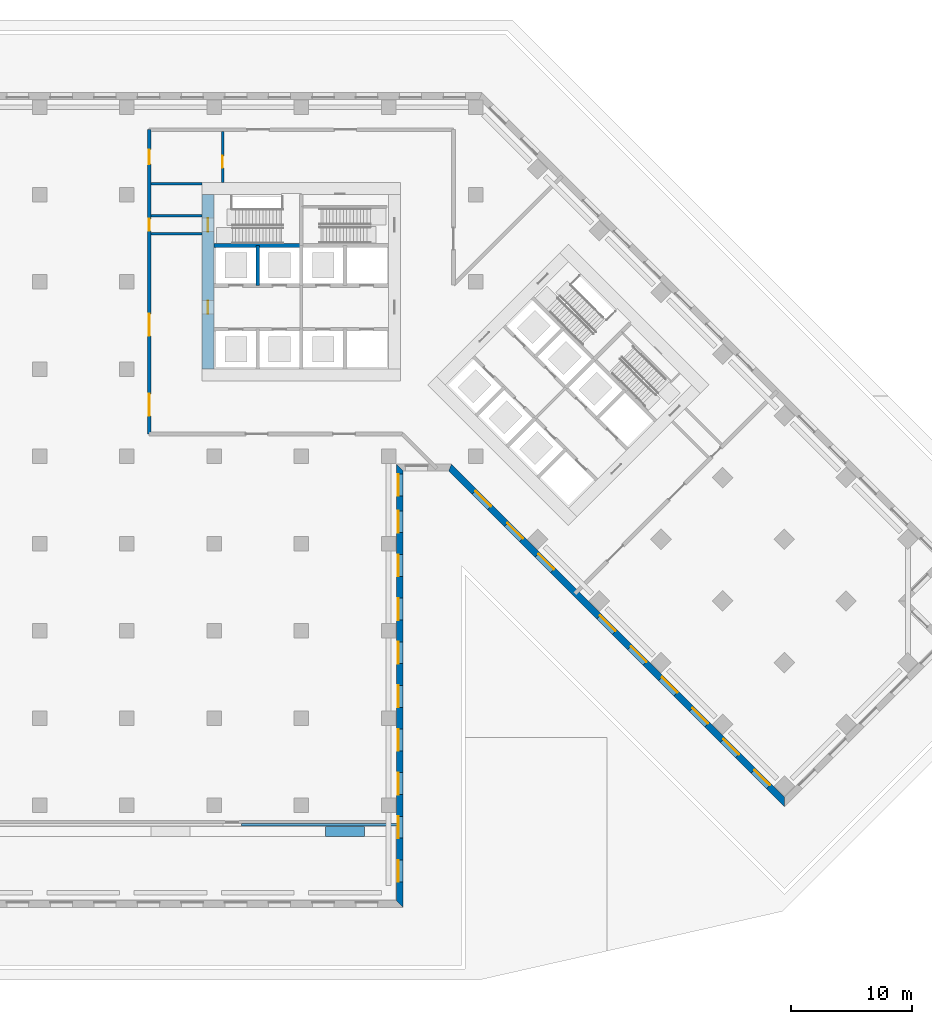
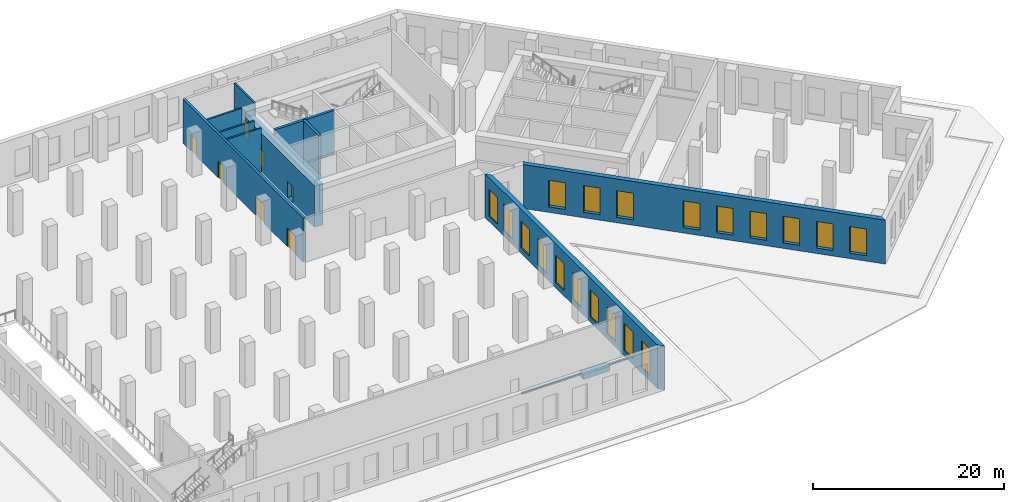
# One storey, part 5 of 15: 19 windows, 12 walls, 7 doors, 26 openings.
"""IFC4 building model written with IfcOpenShell, lengths in metres."""

from ifc_helpers import new_model, si_unit, direction, frame, frame_2d, origin, place, context, subcontext, project, spatial, polyline, rectangle, outline, extrude, material, layer, layer_set, type_object, element, fill, save


model = new_model("IFC4")

# Units and contexts
model_context = context("Model", 3, precision=1e-05, world=origin(), true_north=direction((0.0, 1.0)))
body_context = subcontext(model_context, "Body", "Model", "MODEL_VIEW")
ifc_project = project(units=[si_unit("LENGTHUNIT", "METRE"), si_unit("AREAUNIT", "SQUARE_METRE"), si_unit("VOLUMEUNIT", "CUBIC_METRE"), si_unit("PLANEANGLEUNIT", "RADIAN"), si_unit("MASSUNIT", "GRAM", prefix="KILO")], contexts=[model_context])

# Site, building, storey
site_placement = place(None, origin())
site = spatial("IfcSite", under=ifc_project, at=site_placement, CompositionType="ELEMENT")
building_placement = place(site_placement, origin())
building = spatial("IfcBuilding", under=site, at=building_placement, Name="Windrow Commons", CompositionType="ELEMENT")
storey_placement = place(building_placement, origin())
storey = spatial("IfcBuildingStorey", under=building, at=storey_placement, Name="L00", CompositionType="ELEMENT", Elevation=0.0)

# Wall, openings, windows
ifc_material_1 = material(Name="Brick masonry, red clay brick", Category="masonry")
ifc_layer_1 = layer(ifc_material_1, 0.55)
ifc_layer_set_1 = layer_set([ifc_layer_1], Name="Brick facade wall 550")
wall_type_1 = type_object("IfcWallType", Name="Brick facade wall 550", PredefinedType="SOLIDWALL", material=ifc_layer_set_1)
wall_1_placement = place(storey_placement, frame((72.925, 6.275, 0.0), z_axis=(0.0, 0.0, 1.0), x_axis=(0.0, 1.0, 0.0)))
wall_1 = element("IfcWall", 1, at=wall_1_placement, inside=storey, type_object=wall_type_1, Name="Brick facade wall L00 15", PredefinedType="SOLIDWALL", context=body_context, shape_type="SweptSolid", body=[
    extrude(outline(polyline([(-0.275, -0.275), (35.725, -0.275), (36.275, 0.275), (0.275, 0.275), (-0.275, -0.275)])), origin(), (0.0, 0.0, 1.0), 5.6),
])
opening_1_placement = place(wall_1_placement, frame((1.825, 0.0, 0.7)))
opening_1 = element("IfcOpeningElement", 2, at=opening_1_placement, cuts=wall_1, Name="Opening W3", PredefinedType="OPENING", context=body_context, shape_type="SweptSolid", body=[
    extrude(rectangle(XDim=1.8, YDim=3.4, at=frame_2d((0.9, 1.7))), frame((0.0, 0.285, 0.0), z_axis=(0.0, -1.0, 0.0), x_axis=(1.0, 0.0, 0.0)), (0.0, 0.0, 1.0), 0.57),
])
opening_2_placement = place(wall_1_placement, frame((5.425, 0.0, 0.7)))
opening_2 = element("IfcOpeningElement", 3, at=opening_2_placement, cuts=wall_1, Name="Opening W3", PredefinedType="OPENING", context=body_context, shape_type="SweptSolid", body=[
    extrude(rectangle(XDim=1.8, YDim=3.4, at=frame_2d((0.9, 1.7))), frame((0.0, 0.285, 0.0), z_axis=(0.0, -1.0, 0.0), x_axis=(1.0, 0.0, 0.0)), (0.0, 0.0, 1.0), 0.57),
])
opening_3_placement = place(wall_1_placement, frame((9.025, 0.0, 0.7)))
opening_3 = element("IfcOpeningElement", 4, at=opening_3_placement, cuts=wall_1, Name="Opening W3", PredefinedType="OPENING", context=body_context, shape_type="SweptSolid", body=[
    extrude(rectangle(XDim=1.8, YDim=3.4, at=frame_2d((0.9, 1.7))), frame((0.0, 0.285, 0.0), z_axis=(0.0, -1.0, 0.0), x_axis=(1.0, 0.0, 0.0)), (0.0, 0.0, 1.0), 0.57),
])
opening_4_placement = place(wall_1_placement, frame((12.625, 0.0, 0.7)))
opening_4 = element("IfcOpeningElement", 5, at=opening_4_placement, cuts=wall_1, Name="Opening W3", PredefinedType="OPENING", context=body_context, shape_type="SweptSolid", body=[
    extrude(rectangle(XDim=1.8, YDim=3.4, at=frame_2d((0.9, 1.7))), frame((0.0, 0.285, 0.0), z_axis=(0.0, -1.0, 0.0), x_axis=(1.0, 0.0, 0.0)), (0.0, 0.0, 1.0), 0.57),
])
opening_5_placement = place(wall_1_placement, frame((16.225, 0.0, 0.7)))
opening_5 = element("IfcOpeningElement", 6, at=opening_5_placement, cuts=wall_1, Name="Opening W3", PredefinedType="OPENING", context=body_context, shape_type="SweptSolid", body=[
    extrude(rectangle(XDim=1.8, YDim=3.4, at=frame_2d((0.9, 1.7))), frame((0.0, 0.285, 0.0), z_axis=(0.0, -1.0, 0.0), x_axis=(1.0, 0.0, 0.0)), (0.0, 0.0, 1.0), 0.57),
])
opening_6_placement = place(wall_1_placement, frame((19.825, 0.0, 0.7)))
opening_6 = element("IfcOpeningElement", 7, at=opening_6_placement, cuts=wall_1, Name="Opening W3", PredefinedType="OPENING", context=body_context, shape_type="SweptSolid", body=[
    extrude(rectangle(XDim=1.8, YDim=3.4, at=frame_2d((0.9, 1.7))), frame((0.0, 0.285, 0.0), z_axis=(0.0, -1.0, 0.0), x_axis=(1.0, 0.0, 0.0)), (0.0, 0.0, 1.0), 0.57),
])
opening_7_placement = place(wall_1_placement, frame((23.425, 0.0, 0.7)))
opening_7 = element("IfcOpeningElement", 8, at=opening_7_placement, cuts=wall_1, Name="Opening W3", PredefinedType="OPENING", context=body_context, shape_type="SweptSolid", body=[
    extrude(rectangle(XDim=1.8, YDim=3.4, at=frame_2d((0.9, 1.7))), frame((0.0, 0.285, 0.0), z_axis=(0.0, -1.0, 0.0), x_axis=(1.0, 0.0, 0.0)), (0.0, 0.0, 1.0), 0.57),
])
opening_8_placement = place(wall_1_placement, frame((27.025, 0.0, 0.7)))
opening_8 = element("IfcOpeningElement", 9, at=opening_8_placement, cuts=wall_1, Name="Opening W3", PredefinedType="OPENING", context=body_context, shape_type="SweptSolid", body=[
    extrude(rectangle(XDim=1.8, YDim=3.4, at=frame_2d((0.9, 1.7))), frame((0.0, 0.285, 0.0), z_axis=(0.0, -1.0, 0.0), x_axis=(1.0, 0.0, 0.0)), (0.0, 0.0, 1.0), 0.57),
])
opening_9_placement = place(wall_1_placement, frame((30.625, 0.0, 0.7)))
opening_9 = element("IfcOpeningElement", 10, at=opening_9_placement, cuts=wall_1, Name="Opening W3", PredefinedType="OPENING", context=body_context, shape_type="SweptSolid", body=[
    extrude(rectangle(XDim=1.8, YDim=3.4, at=frame_2d((0.9, 1.7))), frame((0.0, 0.285, 0.0), z_axis=(0.0, -1.0, 0.0), x_axis=(1.0, 0.0, 0.0)), (0.0, 0.0, 1.0), 0.57),
])
opening_10_placement = place(wall_1_placement, frame((33.6625, 0.0, 0.7)))
opening_10 = element("IfcOpeningElement", 11, at=opening_10_placement, cuts=wall_1, Name="Opening W3", PredefinedType="OPENING", context=body_context, shape_type="SweptSolid", body=[
    extrude(rectangle(XDim=1.8, YDim=3.4, at=frame_2d((0.9, 1.7))), frame((0.0, 0.285, 0.0), z_axis=(0.0, -1.0, 0.0), x_axis=(1.0, 0.0, 0.0)), (0.0, 0.0, 1.0), 0.57),
])
ifc_material_2 = material(Name="Clear float glass in anodised aluminium frame", Category="aluminium")
window_type = type_object("IfcWindowType", Name="Window W3 shopfront 1800x3400", PartitioningType="SINGLE_PANEL", PredefinedType="WINDOW", material=ifc_material_2)
window_1_placement = place(opening_1_placement, origin())
window_1 = element("IfcWindow", 12, at=window_1_placement, inside=storey, type_object=window_type, Name="Window L00 15.1", OverallHeight=3.4, OverallWidth=1.8, PartitioningType="SINGLE_PANEL", PredefinedType="WINDOW", context=body_context, shape_type="SweptSolid", body=[
    extrude(rectangle(XDim=1.8, YDim=3.4, at=frame_2d((0.9, 1.7))), frame((0.0, 0.155, 0.0), z_axis=(0.0, -1.0, 0.0), x_axis=(1.0, 0.0, 0.0)), (0.0, 0.0, 1.0), 0.06),
])
fill(opening_1, window_1)
window_2_placement = place(opening_2_placement, origin())
window_2 = element("IfcWindow", 13, at=window_2_placement, inside=storey, type_object=window_type, Name="Window L00 15.2", OverallHeight=3.4, OverallWidth=1.8, PartitioningType="SINGLE_PANEL", PredefinedType="WINDOW", context=body_context, shape_type="SweptSolid", body=[
    extrude(rectangle(XDim=1.8, YDim=3.4, at=frame_2d((0.9, 1.7))), frame((0.0, 0.155, 0.0), z_axis=(0.0, -1.0, 0.0), x_axis=(1.0, 0.0, 0.0)), (0.0, 0.0, 1.0), 0.06),
])
fill(opening_2, window_2)
window_3_placement = place(opening_3_placement, origin())
window_3 = element("IfcWindow", 14, at=window_3_placement, inside=storey, type_object=window_type, Name="Window L00 15.3", OverallHeight=3.4, OverallWidth=1.8, PartitioningType="SINGLE_PANEL", PredefinedType="WINDOW", context=body_context, shape_type="SweptSolid", body=[
    extrude(rectangle(XDim=1.8, YDim=3.4, at=frame_2d((0.9, 1.7))), frame((0.0, 0.155, 0.0), z_axis=(0.0, -1.0, 0.0), x_axis=(1.0, 0.0, 0.0)), (0.0, 0.0, 1.0), 0.06),
])
fill(opening_3, window_3)
window_4_placement = place(opening_4_placement, origin())
window_4 = element("IfcWindow", 15, at=window_4_placement, inside=storey, type_object=window_type, Name="Window L00 15.4", OverallHeight=3.4, OverallWidth=1.8, PartitioningType="SINGLE_PANEL", PredefinedType="WINDOW", context=body_context, shape_type="SweptSolid", body=[
    extrude(rectangle(XDim=1.8, YDim=3.4, at=frame_2d((0.9, 1.7))), frame((0.0, 0.155, 0.0), z_axis=(0.0, -1.0, 0.0), x_axis=(1.0, 0.0, 0.0)), (0.0, 0.0, 1.0), 0.06),
])
fill(opening_4, window_4)
window_5_placement = place(opening_5_placement, origin())
window_5 = element("IfcWindow", 16, at=window_5_placement, inside=storey, type_object=window_type, Name="Window L00 15.5", OverallHeight=3.4, OverallWidth=1.8, PartitioningType="SINGLE_PANEL", PredefinedType="WINDOW", context=body_context, shape_type="SweptSolid", body=[
    extrude(rectangle(XDim=1.8, YDim=3.4, at=frame_2d((0.9, 1.7))), frame((0.0, 0.155, 0.0), z_axis=(0.0, -1.0, 0.0), x_axis=(1.0, 0.0, 0.0)), (0.0, 0.0, 1.0), 0.06),
])
fill(opening_5, window_5)
window_6_placement = place(opening_6_placement, origin())
window_6 = element("IfcWindow", 17, at=window_6_placement, inside=storey, type_object=window_type, Name="Window L00 15.6", OverallHeight=3.4, OverallWidth=1.8, PartitioningType="SINGLE_PANEL", PredefinedType="WINDOW", context=body_context, shape_type="SweptSolid", body=[
    extrude(rectangle(XDim=1.8, YDim=3.4, at=frame_2d((0.9, 1.7))), frame((0.0, 0.155, 0.0), z_axis=(0.0, -1.0, 0.0), x_axis=(1.0, 0.0, 0.0)), (0.0, 0.0, 1.0), 0.06),
])
fill(opening_6, window_6)
window_7_placement = place(opening_7_placement, origin())
window_7 = element("IfcWindow", 18, at=window_7_placement, inside=storey, type_object=window_type, Name="Window L00 15.7", OverallHeight=3.4, OverallWidth=1.8, PartitioningType="SINGLE_PANEL", PredefinedType="WINDOW", context=body_context, shape_type="SweptSolid", body=[
    extrude(rectangle(XDim=1.8, YDim=3.4, at=frame_2d((0.9, 1.7))), frame((0.0, 0.155, 0.0), z_axis=(0.0, -1.0, 0.0), x_axis=(1.0, 0.0, 0.0)), (0.0, 0.0, 1.0), 0.06),
])
fill(opening_7, window_7)
window_8_placement = place(opening_8_placement, origin())
window_8 = element("IfcWindow", 19, at=window_8_placement, inside=storey, type_object=window_type, Name="Window L00 15.8", OverallHeight=3.4, OverallWidth=1.8, PartitioningType="SINGLE_PANEL", PredefinedType="WINDOW", context=body_context, shape_type="SweptSolid", body=[
    extrude(rectangle(XDim=1.8, YDim=3.4, at=frame_2d((0.9, 1.7))), frame((0.0, 0.155, 0.0), z_axis=(0.0, -1.0, 0.0), x_axis=(1.0, 0.0, 0.0)), (0.0, 0.0, 1.0), 0.06),
])
fill(opening_8, window_8)
window_9_placement = place(opening_9_placement, origin())
window_9 = element("IfcWindow", 20, at=window_9_placement, inside=storey, type_object=window_type, Name="Window L00 15.9", OverallHeight=3.4, OverallWidth=1.8, PartitioningType="SINGLE_PANEL", PredefinedType="WINDOW", context=body_context, shape_type="SweptSolid", body=[
    extrude(rectangle(XDim=1.8, YDim=3.4, at=frame_2d((0.9, 1.7))), frame((0.0, 0.155, 0.0), z_axis=(0.0, -1.0, 0.0), x_axis=(1.0, 0.0, 0.0)), (0.0, 0.0, 1.0), 0.06),
])
fill(opening_9, window_9)
window_10_placement = place(opening_10_placement, origin())
window_10 = element("IfcWindow", 21, at=window_10_placement, inside=storey, type_object=window_type, Name="Window L00 15.10", OverallHeight=3.4, OverallWidth=1.8, PartitioningType="SINGLE_PANEL", PredefinedType="WINDOW", context=body_context, shape_type="SweptSolid", body=[
    extrude(rectangle(XDim=1.8, YDim=3.4, at=frame_2d((0.9, 1.7))), frame((0.0, 0.155, 0.0), z_axis=(0.0, -1.0, 0.0), x_axis=(1.0, 0.0, 0.0)), (0.0, 0.0, 1.0), 0.06),
])
fill(opening_10, window_10)

wall_2_placement = place(storey_placement, frame((77.0698, 42.275, 0.0), z_axis=(0.0, 0.0, 1.0), x_axis=(0.7071067812, -0.7071067812, 0.0)))
wall_2 = element("IfcWall", 22, at=wall_2_placement, inside=storey, type_object=wall_type_1, Name="Brick facade wall L00 17", PredefinedType="SOLIDWALL", context=body_context, shape_type="SweptSolid", body=[
    extrude(outline(polyline([(0.1139, -0.275), (39.2875, -0.275), (38.7375, 0.275), (-0.1139, 0.275), (0.1139, -0.275)])), origin(), (0.0, 0.0, 1.0), 5.6),
])
opening_11_placement = place(wall_2_placement, frame((2.8375, 0.0, 0.7)))
opening_11 = element("IfcOpeningElement", 23, at=opening_11_placement, cuts=wall_2, Name="Opening W3", PredefinedType="OPENING", context=body_context, shape_type="SweptSolid", body=[
    extrude(rectangle(XDim=1.8, YDim=3.4, at=frame_2d((0.9, 1.7))), frame((0.0, 0.285, 0.0), z_axis=(0.0, -1.0, 0.0), x_axis=(1.0, 0.0, 0.0)), (0.0, 0.0, 1.0), 0.57),
])
opening_12_placement = place(wall_2_placement, frame((6.5875, 0.0, 0.7)))
opening_12 = element("IfcOpeningElement", 24, at=opening_12_placement, cuts=wall_2, Name="Opening W3", PredefinedType="OPENING", context=body_context, shape_type="SweptSolid", body=[
    extrude(rectangle(XDim=1.8, YDim=3.4, at=frame_2d((0.9, 1.7))), frame((0.0, 0.285, 0.0), z_axis=(0.0, -1.0, 0.0), x_axis=(1.0, 0.0, 0.0)), (0.0, 0.0, 1.0), 0.57),
])
opening_13_placement = place(wall_2_placement, frame((10.1875, 0.0, 0.7)))
opening_13 = element("IfcOpeningElement", 25, at=opening_13_placement, cuts=wall_2, Name="Opening W3", PredefinedType="OPENING", context=body_context, shape_type="SweptSolid", body=[
    extrude(rectangle(XDim=1.8, YDim=3.4, at=frame_2d((0.9, 1.7))), frame((0.0, 0.285, 0.0), z_axis=(0.0, -1.0, 0.0), x_axis=(1.0, 0.0, 0.0)), (0.0, 0.0, 1.0), 0.57),
])
opening_14_placement = place(wall_2_placement, frame((17.3875, 0.0, 0.7)))
opening_14 = element("IfcOpeningElement", 26, at=opening_14_placement, cuts=wall_2, Name="Opening W3", PredefinedType="OPENING", context=body_context, shape_type="SweptSolid", body=[
    extrude(rectangle(XDim=1.8, YDim=3.4, at=frame_2d((0.9, 1.7))), frame((0.0, 0.285, 0.0), z_axis=(0.0, -1.0, 0.0), x_axis=(1.0, 0.0, 0.0)), (0.0, 0.0, 1.0), 0.57),
])
opening_15_placement = place(wall_2_placement, frame((20.9875, 0.0, 0.7)))
opening_15 = element("IfcOpeningElement", 27, at=opening_15_placement, cuts=wall_2, Name="Opening W3", PredefinedType="OPENING", context=body_context, shape_type="SweptSolid", body=[
    extrude(rectangle(XDim=1.8, YDim=3.4, at=frame_2d((0.9, 1.7))), frame((0.0, 0.285, 0.0), z_axis=(0.0, -1.0, 0.0), x_axis=(1.0, 0.0, 0.0)), (0.0, 0.0, 1.0), 0.57),
])
opening_16_placement = place(wall_2_placement, frame((24.5875, 0.0, 0.7)))
opening_16 = element("IfcOpeningElement", 28, at=opening_16_placement, cuts=wall_2, Name="Opening W3", PredefinedType="OPENING", context=body_context, shape_type="SweptSolid", body=[
    extrude(rectangle(XDim=1.8, YDim=3.4, at=frame_2d((0.9, 1.7))), frame((0.0, 0.285, 0.0), z_axis=(0.0, -1.0, 0.0), x_axis=(1.0, 0.0, 0.0)), (0.0, 0.0, 1.0), 0.57),
])
opening_17_placement = place(wall_2_placement, frame((28.1875, 0.0, 0.7)))
opening_17 = element("IfcOpeningElement", 29, at=opening_17_placement, cuts=wall_2, Name="Opening W3", PredefinedType="OPENING", context=body_context, shape_type="SweptSolid", body=[
    extrude(rectangle(XDim=1.8, YDim=3.4, at=frame_2d((0.9, 1.7))), frame((0.0, 0.285, 0.0), z_axis=(0.0, -1.0, 0.0), x_axis=(1.0, 0.0, 0.0)), (0.0, 0.0, 1.0), 0.57),
])
opening_18_placement = place(wall_2_placement, frame((31.7875, 0.0, 0.7)))
opening_18 = element("IfcOpeningElement", 30, at=opening_18_placement, cuts=wall_2, Name="Opening W3", PredefinedType="OPENING", context=body_context, shape_type="SweptSolid", body=[
    extrude(rectangle(XDim=1.8, YDim=3.4, at=frame_2d((0.9, 1.7))), frame((0.0, 0.285, 0.0), z_axis=(0.0, -1.0, 0.0), x_axis=(1.0, 0.0, 0.0)), (0.0, 0.0, 1.0), 0.57),
])
opening_19_placement = place(wall_2_placement, frame((35.3875, 0.0, 0.7)))
opening_19 = element("IfcOpeningElement", 31, at=opening_19_placement, cuts=wall_2, Name="Opening W3", PredefinedType="OPENING", context=body_context, shape_type="SweptSolid", body=[
    extrude(rectangle(XDim=1.8, YDim=3.4, at=frame_2d((0.9, 1.7))), frame((0.0, 0.285, 0.0), z_axis=(0.0, -1.0, 0.0), x_axis=(1.0, 0.0, 0.0)), (0.0, 0.0, 1.0), 0.57),
])
window_11_placement = place(opening_11_placement, origin())
window_11 = element("IfcWindow", 32, at=window_11_placement, inside=storey, type_object=window_type, Name="Window L00 17.1", OverallHeight=3.4, OverallWidth=1.8, PartitioningType="SINGLE_PANEL", PredefinedType="WINDOW", context=body_context, shape_type="SweptSolid", body=[
    extrude(rectangle(XDim=1.8, YDim=3.4, at=frame_2d((0.9, 1.7))), frame((0.0, 0.155, 0.0), z_axis=(0.0, -1.0, 0.0), x_axis=(1.0, 0.0, 0.0)), (0.0, 0.0, 1.0), 0.06),
])
fill(opening_11, window_11)
window_12_placement = place(opening_12_placement, origin())
window_12 = element("IfcWindow", 33, at=window_12_placement, inside=storey, type_object=window_type, Name="Window L00 17.2", OverallHeight=3.4, OverallWidth=1.8, PartitioningType="SINGLE_PANEL", PredefinedType="WINDOW", context=body_context, shape_type="SweptSolid", body=[
    extrude(rectangle(XDim=1.8, YDim=3.4, at=frame_2d((0.9, 1.7))), frame((0.0, 0.155, 0.0), z_axis=(0.0, -1.0, 0.0), x_axis=(1.0, 0.0, 0.0)), (0.0, 0.0, 1.0), 0.06),
])
fill(opening_12, window_12)
window_13_placement = place(opening_13_placement, origin())
window_13 = element("IfcWindow", 34, at=window_13_placement, inside=storey, type_object=window_type, Name="Window L00 17.3", OverallHeight=3.4, OverallWidth=1.8, PartitioningType="SINGLE_PANEL", PredefinedType="WINDOW", context=body_context, shape_type="SweptSolid", body=[
    extrude(rectangle(XDim=1.8, YDim=3.4, at=frame_2d((0.9, 1.7))), frame((0.0, 0.155, 0.0), z_axis=(0.0, -1.0, 0.0), x_axis=(1.0, 0.0, 0.0)), (0.0, 0.0, 1.0), 0.06),
])
fill(opening_13, window_13)
window_14_placement = place(opening_14_placement, origin())
window_14 = element("IfcWindow", 35, at=window_14_placement, inside=storey, type_object=window_type, Name="Window L00 17.4", OverallHeight=3.4, OverallWidth=1.8, PartitioningType="SINGLE_PANEL", PredefinedType="WINDOW", context=body_context, shape_type="SweptSolid", body=[
    extrude(rectangle(XDim=1.8, YDim=3.4, at=frame_2d((0.9, 1.7))), frame((0.0, 0.155, 0.0), z_axis=(0.0, -1.0, 0.0), x_axis=(1.0, 0.0, 0.0)), (0.0, 0.0, 1.0), 0.06),
])
fill(opening_14, window_14)
window_15_placement = place(opening_15_placement, origin())
window_15 = element("IfcWindow", 36, at=window_15_placement, inside=storey, type_object=window_type, Name="Window L00 17.5", OverallHeight=3.4, OverallWidth=1.8, PartitioningType="SINGLE_PANEL", PredefinedType="WINDOW", context=body_context, shape_type="SweptSolid", body=[
    extrude(rectangle(XDim=1.8, YDim=3.4, at=frame_2d((0.9, 1.7))), frame((0.0, 0.155, 0.0), z_axis=(0.0, -1.0, 0.0), x_axis=(1.0, 0.0, 0.0)), (0.0, 0.0, 1.0), 0.06),
])
fill(opening_15, window_15)
window_16_placement = place(opening_16_placement, origin())
window_16 = element("IfcWindow", 37, at=window_16_placement, inside=storey, type_object=window_type, Name="Window L00 17.6", OverallHeight=3.4, OverallWidth=1.8, PartitioningType="SINGLE_PANEL", PredefinedType="WINDOW", context=body_context, shape_type="SweptSolid", body=[
    extrude(rectangle(XDim=1.8, YDim=3.4, at=frame_2d((0.9, 1.7))), frame((0.0, 0.155, 0.0), z_axis=(0.0, -1.0, 0.0), x_axis=(1.0, 0.0, 0.0)), (0.0, 0.0, 1.0), 0.06),
])
fill(opening_16, window_16)
window_17_placement = place(opening_17_placement, origin())
window_17 = element("IfcWindow", 38, at=window_17_placement, inside=storey, type_object=window_type, Name="Window L00 17.7", OverallHeight=3.4, OverallWidth=1.8, PartitioningType="SINGLE_PANEL", PredefinedType="WINDOW", context=body_context, shape_type="SweptSolid", body=[
    extrude(rectangle(XDim=1.8, YDim=3.4, at=frame_2d((0.9, 1.7))), frame((0.0, 0.155, 0.0), z_axis=(0.0, -1.0, 0.0), x_axis=(1.0, 0.0, 0.0)), (0.0, 0.0, 1.0), 0.06),
])
fill(opening_17, window_17)
window_18_placement = place(opening_18_placement, origin())
window_18 = element("IfcWindow", 39, at=window_18_placement, inside=storey, type_object=window_type, Name="Window L00 17.8", OverallHeight=3.4, OverallWidth=1.8, PartitioningType="SINGLE_PANEL", PredefinedType="WINDOW", context=body_context, shape_type="SweptSolid", body=[
    extrude(rectangle(XDim=1.8, YDim=3.4, at=frame_2d((0.9, 1.7))), frame((0.0, 0.155, 0.0), z_axis=(0.0, -1.0, 0.0), x_axis=(1.0, 0.0, 0.0)), (0.0, 0.0, 1.0), 0.06),
])
fill(opening_18, window_18)
window_19_placement = place(opening_19_placement, origin())
window_19 = element("IfcWindow", 40, at=window_19_placement, inside=storey, type_object=window_type, Name="Window L00 17.9", OverallHeight=3.4, OverallWidth=1.8, PartitioningType="SINGLE_PANEL", PredefinedType="WINDOW", context=body_context, shape_type="SweptSolid", body=[
    extrude(rectangle(XDim=1.8, YDim=3.4, at=frame_2d((0.9, 1.7))), frame((0.0, 0.155, 0.0), z_axis=(0.0, -1.0, 0.0), x_axis=(1.0, 0.0, 0.0)), (0.0, 0.0, 1.0), 0.06),
])
fill(opening_19, window_19)

# Wall, openings, doors
ifc_material_3 = material(Name="Blockwork partition", Category="masonry")
ifc_layer_2 = layer(ifc_material_3, 0.3)
ifc_layer_set_2 = layer_set([ifc_layer_2], Name="Entrance hall wall 300")
wall_type_2 = type_object("IfcWallType", Name="Entrance hall wall 300", PredefinedType="PARTITIONING", material=ifc_layer_set_2)
wall_3_placement = place(storey_placement, frame((52.25, 45.05, 0.0), z_axis=(0.0, 0.0, 1.0), x_axis=(0.0, 1.0, 0.0)))
wall_3 = element("IfcWall", 41, at=wall_3_placement, inside=storey, type_object=wall_type_2, Name="W-L00-ENT-07", PredefinedType="PARTITIONING", context=body_context, shape_type="SweptSolid", body=[
    extrude(rectangle(XDim=25.1, YDim=0.3, at=frame_2d((12.55, 0.0))), origin(), (0.0, 0.0, 1.0), 5.6),
])
opening_20_placement = place(wall_3_placement, frame((8.1, 0.0, 0.0)))
opening_20 = element("IfcOpeningElement", 42, at=opening_20_placement, cuts=wall_3, Name="Opening D20", PredefinedType="OPENING", context=body_context, shape_type="SweptSolid", body=[
    extrude(rectangle(XDim=1.8, YDim=2.4, at=frame_2d((0.9, 1.2))), frame((0.0, 0.16, 0.0), z_axis=(0.0, -1.0, 0.0), x_axis=(1.0, 0.0, 0.0)), (0.0, 0.0, 1.0), 0.32),
])
opening_21_placement = place(wall_3_placement, frame((1.5, 0.0, 0.0)))
opening_21 = element("IfcOpeningElement", 43, at=opening_21_placement, cuts=wall_3, Name="Opening D20", PredefinedType="OPENING", context=body_context, shape_type="SweptSolid", body=[
    extrude(rectangle(XDim=1.8, YDim=2.4, at=frame_2d((0.9, 1.2))), frame((0.0, 0.16, 0.0), z_axis=(0.0, -1.0, 0.0), x_axis=(1.0, 0.0, 0.0)), (0.0, 0.0, 1.0), 0.32),
])
opening_22_placement = place(wall_3_placement, frame((16.75, 0.0, 0.0)))
opening_22 = element("IfcOpeningElement", 44, at=opening_22_placement, cuts=wall_3, Name="Opening D24", PredefinedType="OPENING", context=body_context, shape_type="SweptSolid", body=[
    extrude(rectangle(XDim=1.0, YDim=2.1, at=frame_2d((0.5, 1.05))), frame((0.0, 0.16, 0.0), z_axis=(0.0, -1.0, 0.0), x_axis=(1.0, 0.0, 0.0)), (0.0, 0.0, 1.0), 0.32),
])
opening_23_placement = place(wall_3_placement, frame((22.25, 0.0, 0.0)))
opening_23 = element("IfcOpeningElement", 45, at=opening_23_placement, cuts=wall_3, Name="Opening D21", PredefinedType="OPENING", context=body_context, shape_type="SweptSolid", body=[
    extrude(rectangle(XDim=1.2, YDim=2.1, at=frame_2d((0.6, 1.05))), frame((0.0, 0.16, 0.0), z_axis=(0.0, -1.0, 0.0), x_axis=(1.0, 0.0, 0.0)), (0.0, 0.0, 1.0), 0.32),
])
ifc_material_4 = material(Name="Aluminium and glass door leaves", Category="aluminium")
door_type_1 = type_object("IfcDoorType", Name="Entrance door double 1800x2400", OperationType="SINGLE_SWING_LEFT", PredefinedType="DOOR", material=ifc_material_4)
door_1_placement = place(opening_20_placement, origin())
door_1 = element("IfcDoor", 46, at=door_1_placement, inside=storey, type_object=door_type_1, Name="D-L00-EXIT-03", OperationType="DOUBLE_DOOR_SINGLE_SWING", OverallHeight=2.4, OverallWidth=1.8, PredefinedType="DOOR", context=body_context, shape_type="SweptSolid", body=[
    extrude(rectangle(XDim=1.8, YDim=2.4, at=frame_2d((0.9, 1.2))), frame((0.0, 0.025, 0.0), z_axis=(0.0, -1.0, 0.0), x_axis=(1.0, 0.0, 0.0)), (0.0, 0.0, 1.0), 0.05),
])
fill(opening_20, door_1)
door_2_placement = place(opening_21_placement, origin())
door_2 = element("IfcDoor", 47, at=door_2_placement, inside=storey, type_object=door_type_1, Name="D-L00-EXIT-04", OperationType="DOUBLE_DOOR_SINGLE_SWING", OverallHeight=2.4, OverallWidth=1.8, PredefinedType="DOOR", context=body_context, shape_type="SweptSolid", body=[
    extrude(rectangle(XDim=1.8, YDim=2.4, at=frame_2d((0.9, 1.2))), frame((0.0, 0.025, 0.0), z_axis=(0.0, -1.0, 0.0), x_axis=(1.0, 0.0, 0.0)), (0.0, 0.0, 1.0), 0.05),
])
fill(opening_21, door_2)
ifc_material_5 = material(Name="Steel fire door leaf", Category="steel")
door_type_2 = type_object("IfcDoorType", Name="Exit door single 1000x2100", OperationType="SINGLE_SWING_LEFT", PredefinedType="DOOR", material=ifc_material_5)
door_3_placement = place(opening_22_placement, origin())
door_3 = element("IfcDoor", 48, at=door_3_placement, inside=storey, type_object=door_type_2, Name="Exit door ST-A1", OperationType="SINGLE_SWING_RIGHT", OverallHeight=2.1, OverallWidth=1.0, PredefinedType="DOOR", context=body_context, shape_type="SweptSolid", body=[
    extrude(rectangle(XDim=1.0, YDim=2.1, at=frame_2d((0.5, 1.05))), frame((0.0, 0.025, 0.0), z_axis=(0.0, -1.0, 0.0), x_axis=(1.0, 0.0, 0.0)), (0.0, 0.0, 1.0), 0.05),
])
fill(opening_22, door_3)
ifc_material_6 = material(Name="Steel fire door leaf", Category="steel")
door_type_3 = type_object("IfcDoorType", Name="Fire command centre door 1200x2100", OperationType="SINGLE_SWING_LEFT", PredefinedType="DOOR", material=ifc_material_6)
door_4_placement = place(opening_23_placement, origin())
door_4 = element("IfcDoor", 49, at=door_4_placement, inside=storey, type_object=door_type_3, Name="D-L00-FCC-OUT", OperationType="SINGLE_SWING_RIGHT", OverallHeight=2.1, OverallWidth=1.2, PredefinedType="DOOR", context=body_context, shape_type="SweptSolid", body=[
    extrude(rectangle(XDim=1.2, YDim=2.1, at=frame_2d((0.6, 1.05))), frame((0.0, 0.025, 0.0), z_axis=(0.0, -1.0, 0.0), x_axis=(1.0, 0.0, 0.0)), (0.0, 0.0, 1.0), 0.05),
])
fill(opening_23, door_4)

# Walls
ifc_material_7 = material(Name="Blockwork partition", Category="masonry")
ifc_layer_3 = layer(ifc_material_7, 0.2)
ifc_layer_set_3 = layer_set([ifc_layer_3], Name="Fire command centre wall 200")
wall_type_3 = type_object("IfcWallType", Name="Fire command centre wall 200", PredefinedType="PARTITIONING", material=ifc_layer_set_3)
for number, where, z_axis, x_axis, name in (
    (50, (56.6, 61.55, 0.0), (0.0, 0.0, 1.0), (-1.0, 0.0, 0.0), "W-L00-PASS-ST-A1-1"),
    (51, (56.6, 63.05, 0.0), (0.0, 0.0, 1.0), (-1.0, 0.0, 0.0), "W-L00-PASS-ST-A1-2"),
):
    element("IfcWall", number, at=place(storey_placement, frame(where, z_axis=z_axis, x_axis=x_axis)), inside=storey, type_object=wall_type_3, Name=name, PredefinedType="PARTITIONING", context=body_context, shape_type="SweptSolid", body=[
        extrude(rectangle(XDim=4.2, YDim=0.2, at=frame_2d((2.1, 0.0))), origin(), (0.0, 0.0, 1.0), 5.6),
    ])

# Wall, opening, door
wall_4_placement = place(storey_placement, frame((58.3, 65.8, 0.0), z_axis=(0.0, 0.0, 1.0), x_axis=(0.0, 1.0, 0.0)))
wall_4 = element("IfcWall", 52, at=wall_4_placement, inside=storey, type_object=wall_type_3, Name="W-L00-FCC-E", PredefinedType="PARTITIONING", context=body_context, shape_type="SweptSolid", body=[
    extrude(rectangle(XDim=4.2, YDim=0.2, at=frame_2d((2.1, 0.0))), origin(), (0.0, 0.0, 1.0), 5.6),
])
opening_24_placement = place(wall_4_placement, frame((1.2, 0.0, 0.0)))
opening_24 = element("IfcOpeningElement", 53, at=opening_24_placement, cuts=wall_4, Name="Opening D22", PredefinedType="OPENING", context=body_context, shape_type="SweptSolid", body=[
    extrude(rectangle(XDim=1.0, YDim=2.1, at=frame_2d((0.5, 1.05))), frame((0.0, 0.11, 0.0), z_axis=(0.0, -1.0, 0.0), x_axis=(1.0, 0.0, 0.0)), (0.0, 0.0, 1.0), 0.22),
])
ifc_material_8 = material(Name="Steel fire door leaf", Category="steel")
door_type_4 = type_object("IfcDoorType", Name="Fire command centre inner door 1000x2100", OperationType="SINGLE_SWING_LEFT", PredefinedType="DOOR", material=ifc_material_8)
door_5_placement = place(opening_24_placement, origin())
door_5 = element("IfcDoor", 54, at=door_5_placement, inside=storey, type_object=door_type_4, Name="D-L00-FCC-IN", OperationType="SINGLE_SWING_LEFT", OverallHeight=2.1, OverallWidth=1.0, PredefinedType="DOOR", context=body_context, shape_type="SweptSolid", body=[
    extrude(rectangle(XDim=1.0, YDim=2.1, at=frame_2d((0.5, 1.05))), frame((0.0, 0.025, 0.0), z_axis=(0.0, -1.0, 0.0), x_axis=(1.0, 0.0, 0.0)), (0.0, 0.0, 1.0), 0.05),
])
fill(opening_24, door_5)

# Walls
wall_5_placement = place(storey_placement, frame((52.4, 65.7, 0.0), z_axis=(0.0, 0.0, 1.0), x_axis=(1.0, 0.0, 0.0)))
element("IfcWall", 55, at=wall_5_placement, inside=storey, type_object=wall_type_3, Name="W-L00-FCC-S", PredefinedType="PARTITIONING", context=body_context, shape_type="SweptSolid", body=[
    extrude(rectangle(XDim=4.2, YDim=0.2, at=frame_2d((2.1, 0.0))), origin(), (0.0, 0.0, 1.0), 5.6),
])
ifc_material_9 = material(Name="Concrete C30/37 planter wall", Category="concrete")
ifc_layer_4 = layer(ifc_material_9, 0.8)
ifc_layer_set_4 = layer_set([ifc_layer_4], Name="Planter 800x600")
wall_type_4 = type_object("IfcWallType", Name="Planter 800x600", PredefinedType="SOLIDWALL", material=ifc_layer_set_4)
wall_6_placement = place(storey_placement, frame((70.0068, 12.25, 0.0), z_axis=(0.0, 0.0, 1.0), x_axis=(-1.0, 0.0, 0.0)))
element("IfcWall", 56, at=wall_6_placement, inside=storey, type_object=wall_type_4, Name="PLANTER TR-L00-1.1", PredefinedType="SOLIDWALL", context=body_context, shape_type="SweptSolid", body=[
    extrude(outline(polyline([(0.0, -0.4), (3.2136, -0.4), (3.2136, 0.4), (0.0, 0.4), (0.0, -0.4)])), origin(), (0.0, 0.0, 1.0), 0.65),
])

# Wall, openings, doors
ifc_material_10 = material(Name="Concrete C60/75", Category="concrete")
ifc_layer_5 = layer(ifc_material_10, 1.0)
ifc_layer_set_5 = layer_set([ifc_layer_5], Name="RC CORE WALL 1000 C60/75")
wall_type_5 = type_object("IfcWallType", Name="RC CORE WALL 1000 C60/75", PredefinedType="SHEAR", material=ifc_layer_set_5)
wall_7_placement = place(storey_placement, frame((57.1, 50.4, -0.4), z_axis=(0.0, 0.0, 1.0), x_axis=(0.0, 1.0, 0.0)))
wall_7 = element("IfcWall", 57, at=wall_7_placement, inside=storey, type_object=wall_type_5, Name="Core A wall outer-W", PredefinedType="SHEAR", context=body_context, shape_type="SweptSolid", body=[
    extrude(rectangle(XDim=14.4, YDim=1.0, at=frame_2d((7.2, 0.0))), origin(), (0.0, 0.0, 1.0), 5.3),
])
opening_25_placement = place(wall_7_placement, frame((4.55, 0.0, 0.4)))
opening_25 = element("IfcOpeningElement", 58, at=opening_25_placement, cuts=wall_7, Name="Opening D6", PredefinedType="OPENING", context=body_context, shape_type="SweptSolid", body=[
    extrude(rectangle(XDim=1.1, YDim=2.1, at=frame_2d((0.55, 1.05))), frame((0.0, 0.51, 0.0), z_axis=(0.0, -1.0, 0.0), x_axis=(1.0, 0.0, 0.0)), (0.0, 0.0, 1.0), 1.02),
])
opening_26_placement = place(wall_7_placement, frame((11.35, 0.0, 0.4)))
opening_26 = element("IfcOpeningElement", 59, at=opening_26_placement, cuts=wall_7, Name="Opening D7", PredefinedType="OPENING", context=body_context, shape_type="SweptSolid", body=[
    extrude(rectangle(XDim=1.1, YDim=2.1, at=frame_2d((0.55, 1.05))), frame((0.0, 0.51, 0.0), z_axis=(0.0, -1.0, 0.0), x_axis=(1.0, 0.0, 0.0)), (0.0, 0.0, 1.0), 1.02),
])
ifc_material_11 = material(Name="Steel fire door leaf", Category="steel")
door_type_5 = type_object("IfcDoorType", Name="Core lobby door 1100", OperationType="SINGLE_SWING_LEFT", PredefinedType="DOOR", material=ifc_material_11)
door_6_placement = place(opening_25_placement, origin())
door_6 = element("IfcDoor", 60, at=door_6_placement, inside=storey, type_object=door_type_5, Name="Lift lobby door", OperationType="DOUBLE_DOOR_SINGLE_SWING", OverallHeight=2.1, OverallWidth=1.1, PredefinedType="DOOR", context=body_context, shape_type="SweptSolid", body=[
    extrude(rectangle(XDim=1.1, YDim=2.1, at=frame_2d((0.55, 1.05))), frame((0.0, 0.025, 0.0), z_axis=(0.0, -1.0, 0.0), x_axis=(1.0, 0.0, 0.0)), (0.0, 0.0, 1.0), 0.05),
])
fill(opening_25, door_6)
ifc_material_12 = material(Name="Steel fire door leaf", Category="steel")
door_type_6 = type_object("IfcDoorType", Name="Stair door 1100", OperationType="SINGLE_SWING_LEFT", PredefinedType="DOOR", material=ifc_material_12)
door_7_placement = place(opening_26_placement, origin())
door_7 = element("IfcDoor", 61, at=door_7_placement, inside=storey, type_object=door_type_6, Name="Stair door", OperationType="SINGLE_SWING_LEFT", OverallHeight=2.1, OverallWidth=1.1, PredefinedType="DOOR", context=body_context, shape_type="SweptSolid", body=[
    extrude(rectangle(XDim=1.1, YDim=2.1, at=frame_2d((0.55, 1.05))), frame((0.0, 0.025, 0.0), z_axis=(0.0, -1.0, 0.0), x_axis=(1.0, 0.0, 0.0)), (0.0, 0.0, 1.0), 0.05),
])
fill(opening_26, door_7)

# Walls
ifc_material_13 = material(Name="Concrete C60/75", Category="concrete")
ifc_layer_6 = layer(ifc_material_13, 0.3)
ifc_layer_set_6 = layer_set([ifc_layer_6], Name="RC SHAFT WALL 300 C60/75")
wall_type_6 = type_object("IfcWallType", Name="RC SHAFT WALL 300 C60/75", PredefinedType="SOLIDWALL", material=ifc_layer_set_6)
wall_8_placement = place(storey_placement, frame((61.2, 57.3, 0.0), z_axis=(0.0, 0.0, 1.0), x_axis=(0.0, 1.0, 0.0)))
element("IfcWall", 62, at=wall_8_placement, inside=storey, type_object=wall_type_6, Name="Core A wall shaft-N1", PredefinedType="SOLIDWALL", context=body_context, shape_type="SweptSolid", body=[
    extrude(rectangle(XDim=3.3, YDim=0.3, at=frame_2d((1.65, 0.0))), origin(), (0.0, 0.0, 1.0), 5.6),
])
wall_9_placement = place(storey_placement, frame((57.6, 60.6, 0.0), z_axis=(0.0, 0.0, 1.0), x_axis=(1.0, 0.0, 0.0)))
element("IfcWall", 63, at=wall_9_placement, inside=storey, type_object=wall_type_6, Name="Core A wall stair-S", PredefinedType="SOLIDWALL", context=body_context, shape_type="SweptSolid", body=[
    extrude(rectangle(XDim=7.2, YDim=0.3, at=frame_2d((3.6, 0.0))), origin(), (0.0, 0.0, 1.0), 5.6),
])
ifc_material_14 = material(Name="Brick masonry, red clay brick", Category="masonry")
ifc_layer_7 = layer(ifc_material_14, 0.2)
ifc_layer_set_7 = layer_set([ifc_layer_7], Name="Terrace edge parapet 200")
wall_type_7 = type_object("IfcWallType", Name="Terrace edge parapet 200", PredefinedType="PARAPET", material=ifc_layer_set_7)
wall_10_placement = place(storey_placement, frame((72.65, 12.8, 0.0), z_axis=(0.0, 0.0, 1.0), x_axis=(-1.0, 0.0, 0.0)))
element("IfcWall", 64, at=wall_10_placement, inside=storey, type_object=wall_type_7, Name="Terrace parapet TR-L00-1.1.1", PredefinedType="PARAPET", context=body_context, shape_type="SweptSolid", body=[
    extrude(outline(polyline([(0.0, -0.1), (12.78, -0.1), (12.78, 0.1), (0.0, 0.1), (0.0, -0.1)])), origin(), (0.0, 0.0, 1.0), 0.25),
])

save(model, "model.ifc")
